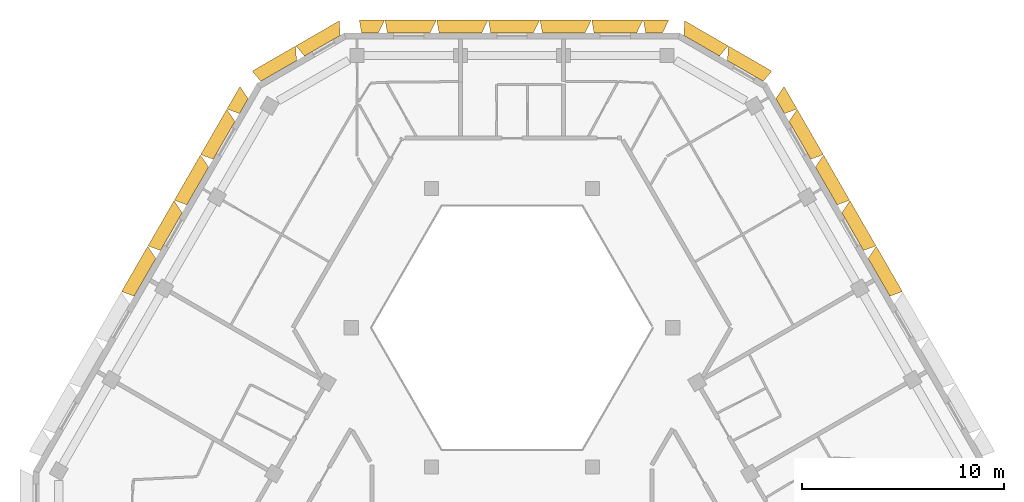
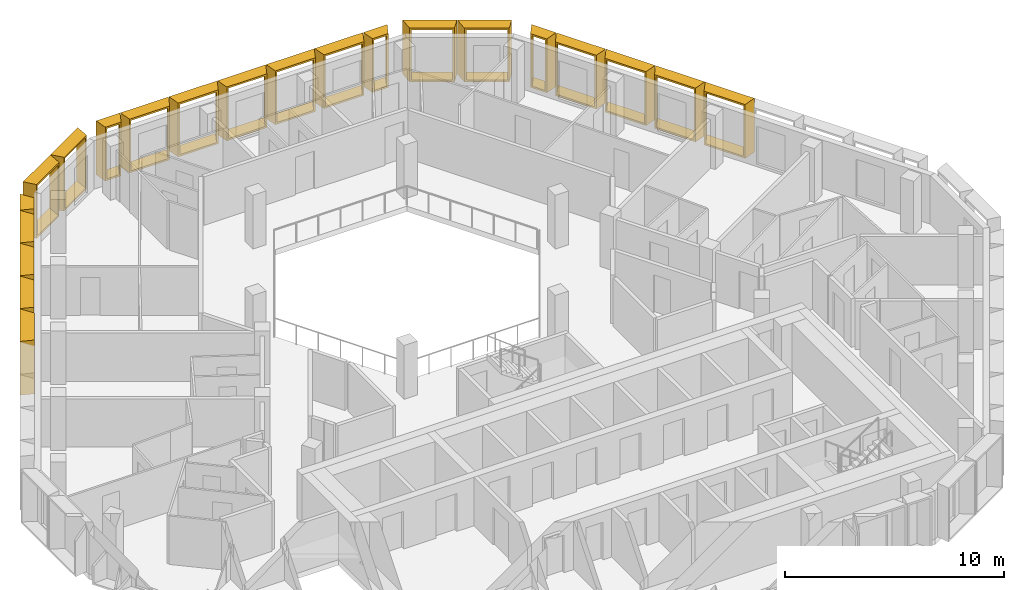
# One storey, part 15 of 15: 21 shading devices.
"""IFC4 building model written with IfcOpenShell, lengths in metres."""

import ifcopenshell
import ifcopenshell.guid

model = None  # the IFC model being written
_history = None  # IfcOwnerHistory: only IFC2X3 demands one
_inside = {}  # id of a spatial element -> (the spatial element, [elements in it])
_under = {}  # id of a project, library or spatial element -> (it, [spatial elements below it])
_declared = {}  # id of a project -> (the project, [libraries it declares])
_typed = {}  # id of a type object -> (the type object, [elements of that type])
_made_of = {}  # id of a material, layer set ... -> (it, [elements and type objects made of it])


def new_model(schema):
    """Start an empty IFC model of exactly this schema.

    Asked for "IFC4X3", IfcOpenShell would pick the latest addendum, in which some entities
    have other attributes; the version numbers below select the first issue.
    IFC2X3 requires an IfcOwnerHistory on every rooted entity: one is made here for all.
    """
    global model, _history
    if schema == "IFC4X3":
        model = ifcopenshell.file(schema_version=(4, 3, 0, 0))
    else:
        model = ifcopenshell.file(schema=schema)
    _inside.clear()
    _under.clear()
    _declared.clear()
    _typed.clear()
    _made_of.clear()
    _history = None
    if model.schema == "IFC2X3":
        org = make("IfcOrganization", Name="unknown")
        user = make(
            "IfcPersonAndOrganization",
            ThePerson=make("IfcPerson", FamilyName="unknown"),
            TheOrganization=org,
        )
        app = make(
            "IfcApplication",
            ApplicationDeveloper=org,
            Version="unknown",
            ApplicationFullName="unknown",
            ApplicationIdentifier="unknown",
        )
        _history = make(
            "IfcOwnerHistory",
            OwningUser=user,
            OwningApplication=app,
            ChangeAction="ADDED",
            CreationDate=0,
        )
    return model


def make(cls, **values):
    """One entity of the class cls with the attributes given. An attribute that is None is left unset."""
    return model.create_entity(
        cls, **{name: value for name, value in values.items() if value is not None}
    )


def entity(cls, *values):
    """Any entity or typed value of the class cls, its attributes in the order of the schema. None: left unset."""
    e = model.create_entity(cls)
    for i, value in enumerate(values):
        if value is not None:
            e[i] = value
    return e


def rooted(cls, **values):
    """An entity with a GlobalId (a new one), such as an element, a storey or a relation."""
    return make(cls, GlobalId=ifcopenshell.guid.new(), OwnerHistory=_history, **values)


def si_unit(unit_type, name, prefix=None):
    """IfcSIUnit, for example si_unit("LENGTHUNIT", "METRE", prefix="MILLI")."""
    return make("IfcSIUnit", UnitType=unit_type, Prefix=prefix, Name=name)


def assignment(units):
    """IfcUnitAssignment: the units of a project."""
    return None if units is None else make("IfcUnitAssignment", Units=units)


def point(xyz):
    """IfcCartesianPoint."""
    return None if xyz is None else make("IfcCartesianPoint", Coordinates=xyz)


def direction(xyz):
    """IfcDirection."""
    return None if xyz is None else make("IfcDirection", DirectionRatios=xyz)


def frame(location, z_axis=None, x_axis=None):
    """IfcAxis2Placement3D, a coordinate frame: its origin and axes. An axis left out is left unset."""
    return make(
        "IfcAxis2Placement3D",
        Location=point(location),
        Axis=direction(z_axis),
        RefDirection=direction(x_axis),
    )


def origin():
    """The frame at (0, 0, 0) with its axes left unset."""
    return frame((0.0, 0.0, 0.0))


def place(relative_to, where):
    """IfcLocalPlacement: puts the frame where relative to a parent placement (None: the world)."""
    return make(
        "IfcLocalPlacement", PlacementRelTo=relative_to, RelativePlacement=where
    )


def context(
    kind, dimensions, precision=None, world=None, true_north=None, identifier=None
):
    """IfcGeometricRepresentationContext, for example the 3D "Model" context."""
    return make(
        "IfcGeometricRepresentationContext",
        ContextIdentifier=identifier,
        ContextType=kind,
        CoordinateSpaceDimension=dimensions,
        Precision=precision,
        WorldCoordinateSystem=world,
        TrueNorth=true_north,
    )


def subcontext(parent, identifier, kind, view, scale=None):
    """IfcGeometricRepresentationSubContext, for example "Body" below "Model"."""
    return make(
        "IfcGeometricRepresentationSubContext",
        ContextIdentifier=identifier,
        ContextType=kind,
        ParentContext=parent,
        TargetScale=scale,
        TargetView=view,
    )


def project(units=None, contexts=None):
    """IfcProject with its units and contexts."""
    return rooted(
        "IfcProject",
        Name="project",
        RepresentationContexts=contexts,
        UnitsInContext=assignment(units),
    )


def spatial(cls, under=None, at=None, **own):
    """A site, building, storey or space (cls), placed at a placement, below another one or the project."""
    s = rooted(cls, ObjectPlacement=at, **own)
    if under is not None:
        _under.setdefault(under.id(), (under, []))[1].append(s)
    return s


def shape(context_of_items, identifier, shape_type, items):
    """IfcShapeRepresentation: the items that make up one representation, for example the "Body"."""
    return make(
        "IfcShapeRepresentation",
        ContextOfItems=context_of_items,
        RepresentationIdentifier=identifier,
        RepresentationType=shape_type,
        Items=items,
    )


def source(mapping_origin, context_of_items, identifier, shape_type, items):
    """IfcRepresentationMap: a shape defined once, which mapped items show again and again."""
    return make(
        "IfcRepresentationMap",
        MappingOrigin=mapping_origin,
        MappedRepresentation=shape(context_of_items, identifier, shape_type, items),
    )


def transform(
    local_origin,
    x_axis=None,
    y_axis=None,
    z_axis=None,
    scale=None,
    scale2=None,
    scale3=None,
    uniform=True,
):
    """IfcCartesianTransformationOperator3D, or its non-uniform kind. x_axis, y_axis, z_axis: its Axis1, 2, 3."""
    if uniform:
        return make(
            "IfcCartesianTransformationOperator3D",
            Axis1=direction(x_axis),
            Axis2=direction(y_axis),
            LocalOrigin=point(local_origin),
            Scale=scale,
            Axis3=direction(z_axis),
        )
    return make(
        "IfcCartesianTransformationOperator3DnonUniform",
        Axis1=direction(x_axis),
        Axis2=direction(y_axis),
        LocalOrigin=point(local_origin),
        Scale=scale,
        Axis3=direction(z_axis),
        Scale2=scale2,
        Scale3=scale3,
    )


def mapped(mapping_source, mapping_target):
    """IfcMappedItem: shows the shape of a source again, moved by a transform."""
    return make(
        "IfcMappedItem", MappingSource=mapping_source, MappingTarget=mapping_target
    )


def material(Name=None, Category=None):
    """IfcMaterial."""
    return make("IfcMaterial", Name=Name, Category=Category)


def made_of(thing, what):
    """Note that an element or type object is made of a material, layer set ...; save() writes the relation."""
    if what is not None:
        _made_of.setdefault(what.id(), (what, []))[1].append(thing)
    return thing


def type_object(cls, material=None, **own):
    """A type object (cls), such as IfcWallType, which elements share."""
    return made_of(rooted(cls, **own), material)


def type_shapes(of_type, sources):
    """Give a type object the sources (RepresentationMaps) that its elements show as mapped items."""
    of_type.RepresentationMaps = sources


def element(
    cls,
    number,
    at=None,
    inside=None,
    cuts=None,
    type_object=None,
    material=None,
    context=None,
    identifier="Body",
    shape_type=None,
    held_by="IfcProductDefinitionShape",
    body=None,
    shapes=None,
    **own,
):
    """One element of the class cls, such as IfcWall. Its Tag is "e" and its number.

    at: its placement. inside: the storey or other place that contains it. cuts: it is an
    opening in that element (IfcRelVoidsElement). A single representation is given by context,
    identifier, shape_type and body (its items); several are given by shapes. held_by: the class
    of the entity that holds the representations. save() writes the other relations.
    """
    e = rooted(cls, Tag="e%d" % number, ObjectPlacement=at, **own)
    if body is not None:
        shapes = [shape(context, identifier, shape_type, body)]
    if shapes is not None:
        e.Representation = make(held_by, Representations=shapes)
    if inside is not None:
        _inside.setdefault(inside.id(), (inside, []))[1].append(e)
    if cuts is not None:
        rooted(
            "IfcRelVoidsElement", RelatingBuildingElement=cuts, RelatedOpeningElement=e
        )
    if type_object is not None:
        _typed.setdefault(type_object.id(), (type_object, []))[1].append(e)
    return made_of(e, material)


def aggregate(whole, parts):
    """IfcRelAggregates: a whole, such as a stair, and the parts it consists of."""
    return rooted("IfcRelAggregates", RelatingObject=whole, RelatedObjects=parts)


def save(model, path):
    """Write the relations noted so far, then the file.

    IfcRelAggregates (storeys below a building ...), IfcRelContainedInSpatialStructure (elements
    in a storey), IfcRelDefinesByType, IfcRelAssociatesMaterial and IfcRelDeclares: one each for
    every whole, place, type object, material and project.
    """
    for whole, parts in _under.values():
        aggregate(whole, parts)
    for where, things in _inside.values():
        rooted(
            "IfcRelContainedInSpatialStructure",
            RelatedElements=things,
            RelatingStructure=where,
        )
    for kind, things in _typed.values():
        rooted("IfcRelDefinesByType", RelatedObjects=things, RelatingType=kind)
    for what, things in _made_of.values():
        rooted("IfcRelAssociatesMaterial", RelatedObjects=things, RelatingMaterial=what)
    for by, libraries in _declared.values():
        rooted("IfcRelDeclares", RelatingContext=by, RelatedDefinitions=libraries)
    model.write(path)


model = new_model("IFC4")

# Units and contexts
model_context = context("Model", 3, precision=1e-05, world=origin(), true_north=direction((0.0, 1.0)))
body_context = subcontext(model_context, "Body", "Model", "MODEL_VIEW")
ifc_project = project(units=[si_unit("LENGTHUNIT", "METRE"), si_unit("AREAUNIT", "SQUARE_METRE"), si_unit("VOLUMEUNIT", "CUBIC_METRE"), si_unit("PLANEANGLEUNIT", "RADIAN"), si_unit("MASSUNIT", "GRAM", prefix="KILO")], contexts=[model_context])

# Site, building, storey
site_placement = place(None, origin())
site = spatial("IfcSite", under=ifc_project, at=site_placement, CompositionType="ELEMENT")
building_placement = place(site_placement, origin())
building = spatial("IfcBuilding", under=site, at=building_placement, Name="Beryl Residences", CompositionType="ELEMENT")
storey_placement = place(building_placement, frame((0.0, 0.0, 205.800048828125)))
storey = spatial("IfcBuildingStorey", under=building, at=storey_placement, Name="L63", CompositionType="ELEMENT", Elevation=205.800048828125)

# Shading devices
ifc_material_1 = material(Name="Aluminium pale anodised", Category="aluminium")
shading_device_type_1 = type_object("IfcShadingDeviceType", Name="FR128-65B OUTER SKIN frame 650 mm deep, splay 26/10 deg, 1280 x 3000 mm cell", PredefinedType="USERDEFINED", material=ifc_material_1)
cartesian_point_1 = entity("IfcCartesianPoint", [-0.4140625, 0.0])
cartesian_point_2 = entity("IfcCartesianPoint", [-0.324951171875, 0.10009765625])
cartesian_point_3 = entity("IfcCartesianPoint", [-0.73095703125, 0.0])
cartesian_point_4 = entity("IfcCartesianPoint", [-0.64208984375, 0.10009765625])
shared_shape_1 = source(origin(), body_context, "Body", "SweptSolid", [
    entity("IfcExtrudedAreaSolidTapered", entity("IfcArbitraryProfileDefWithVoids", "AREA", None, entity("IfcPolyline", [cartesian_point_1, entity("IfcCartesianPoint", [0.4140625, 0.0]), entity("IfcCartesianPoint", [0.4140625, 3.0]), entity("IfcCartesianPoint", [-0.4140625, 3.0]), cartesian_point_1]), [entity("IfcPolyline", [cartesian_point_2, entity("IfcCartesianPoint", [0.332763671875, 0.10009765625]), entity("IfcCartesianPoint", [0.332763671875, 2.89990234375]), entity("IfcCartesianPoint", [-0.324951171875, 2.89990234375]), cartesian_point_2])]), entity("IfcAxis2Placement3D", entity("IfcCartesianPoint", [0.0, 0.0, 0.0]), entity("IfcDirection", [0.0, 1.0, 0.0]), entity("IfcDirection", [-1.0, 0.0, 0.0])), entity("IfcDirection", [0.0, 0.0, 1.0]), 0.64990234375, entity("IfcArbitraryProfileDefWithVoids", "AREA", None, entity("IfcPolyline", [cartesian_point_3, entity("IfcCartesianPoint", [0.528564453125, 0.0]), entity("IfcCartesianPoint", [0.528564453125, 3.0]), entity("IfcCartesianPoint", [-0.73095703125, 3.0]), cartesian_point_3]), [entity("IfcPolyline", [cartesian_point_4, entity("IfcCartesianPoint", [0.447265625, 0.10009765625]), entity("IfcCartesianPoint", [0.447265625, 2.89990234375]), entity("IfcCartesianPoint", [-0.64208984375, 2.89990234375]), cartesian_point_4])])),
])
type_shapes(shading_device_type_1, [shared_shape_1])
for number, where, z_axis, x_axis, name in (
    (1, (7.0390625, 22.60009765625, 0.0), (0.0, 0.0, 1.0), (1.0, 0.0, 0.0), "FR128-65B frame L63 N 1"),
    (2, (-7.0380859375, 22.60009765625, 0.0), (0.0, 0.0, 1.0), (1.0, 0.0, 0.0), "FR128-65B frame L63 N 7"),
):
    element("IfcShadingDevice", number, at=place(storey_placement, frame(where, z_axis=z_axis, x_axis=x_axis)), inside=storey, type_object=shading_device_type_1, Name=name, ObjectType="OUTER SKIN", PredefinedType="USERDEFINED", context=body_context, shape_type="MappedRepresentation", body=[
        mapped(shared_shape_1, transform((0.0, 0.0, 0.0))),
    ])
ifc_material_2 = material(Name="Aluminium pale anodised", Category="aluminium")
shading_device_type_2 = type_object("IfcShadingDeviceType", Name="FR131-65B OUTER SKIN frame 650 mm deep, splay 26/10 deg, 1310 x 3000 mm cell", PredefinedType="USERDEFINED", material=ifc_material_2)
cartesian_point_5 = entity("IfcCartesianPoint", [-0.428955078125, 0.0])
cartesian_point_6 = entity("IfcCartesianPoint", [-0.340087890625, 0.10009765625])
cartesian_point_7 = entity("IfcCartesianPoint", [-0.74609375, 0.0])
cartesian_point_8 = entity("IfcCartesianPoint", [-0.656982421875, 0.10009765625])
shared_shape_2 = source(origin(), body_context, "Body", "SweptSolid", [
    entity("IfcExtrudedAreaSolidTapered", entity("IfcArbitraryProfileDefWithVoids", "AREA", None, entity("IfcPolyline", [cartesian_point_5, entity("IfcCartesianPoint", [0.428955078125, 0.0]), entity("IfcCartesianPoint", [0.428955078125, 3.0]), entity("IfcCartesianPoint", [-0.428955078125, 3.0]), cartesian_point_5]), [entity("IfcPolyline", [cartesian_point_6, entity("IfcCartesianPoint", [0.34765625, 0.10009765625]), entity("IfcCartesianPoint", [0.34765625, 2.89990234375]), entity("IfcCartesianPoint", [-0.340087890625, 2.89990234375]), cartesian_point_6])]), entity("IfcAxis2Placement3D", entity("IfcCartesianPoint", [0.0, 0.0, 0.0]), entity("IfcDirection", [0.0, 1.0, 0.0]), entity("IfcDirection", [-1.0, 0.0, 0.0])), entity("IfcDirection", [0.0, 0.0, 1.0]), 0.64990234375, entity("IfcArbitraryProfileDefWithVoids", "AREA", None, entity("IfcPolyline", [cartesian_point_7, entity("IfcCartesianPoint", [0.543701171875, 0.0]), entity("IfcCartesianPoint", [0.543701171875, 3.0]), entity("IfcCartesianPoint", [-0.74609375, 3.0]), cartesian_point_7]), [entity("IfcPolyline", [cartesian_point_8, entity("IfcCartesianPoint", [0.46240234375, 0.10009765625]), entity("IfcCartesianPoint", [0.46240234375, 2.89990234375]), entity("IfcCartesianPoint", [-0.656982421875, 2.89990234375]), cartesian_point_8])])),
])
type_shapes(shading_device_type_2, [shared_shape_2])
shading_device_1_placement = place(storey_placement, frame((-13.2880859375, 18.98388671875, 0.0), z_axis=(0.0, 0.0, 1.0), x_axis=(0.5, 0.866025403784, 0.0)))
element("IfcShadingDevice", 3, at=shading_device_1_placement, inside=storey, type_object=shading_device_type_2, Name="FR131-65B frame L63 NW 1", ObjectType="OUTER SKIN", PredefinedType="USERDEFINED", context=body_context, shape_type="MappedRepresentation", body=[
    mapped(shared_shape_2, transform((0.0, 0.0, 0.0))),
])
ifc_material_3 = material(Name="Aluminium pale anodised", Category="aluminium")
shading_device_type_3 = type_object("IfcShadingDeviceType", Name="FR131-65C OUTER SKIN frame 650 mm deep, splay 10/26 deg, 1310 x 3000 mm cell", PredefinedType="USERDEFINED", material=ifc_material_3)
cartesian_point_9 = entity("IfcCartesianPoint", [-0.428955078125, 0.0])
cartesian_point_10 = entity("IfcCartesianPoint", [-0.34765625, 0.10009765625])
cartesian_point_11 = entity("IfcCartesianPoint", [-0.543701171875, 0.0])
cartesian_point_12 = entity("IfcCartesianPoint", [-0.46240234375, 0.10009765625])
shared_shape_3 = source(origin(), body_context, "Body", "SweptSolid", [
    entity("IfcExtrudedAreaSolidTapered", entity("IfcArbitraryProfileDefWithVoids", "AREA", None, entity("IfcPolyline", [cartesian_point_9, entity("IfcCartesianPoint", [0.428955078125, 0.0]), entity("IfcCartesianPoint", [0.428955078125, 3.0]), entity("IfcCartesianPoint", [-0.428955078125, 3.0]), cartesian_point_9]), [entity("IfcPolyline", [cartesian_point_10, entity("IfcCartesianPoint", [0.340087890625, 0.10009765625]), entity("IfcCartesianPoint", [0.340087890625, 2.89990234375]), entity("IfcCartesianPoint", [-0.34765625, 2.89990234375]), cartesian_point_10])]), entity("IfcAxis2Placement3D", entity("IfcCartesianPoint", [0.0, 0.0, 0.0]), entity("IfcDirection", [0.0, 1.0, 0.0]), entity("IfcDirection", [-1.0, 0.0, 0.0])), entity("IfcDirection", [0.0, 0.0, 1.0]), 0.64990234375, entity("IfcArbitraryProfileDefWithVoids", "AREA", None, entity("IfcPolyline", [cartesian_point_11, entity("IfcCartesianPoint", [0.74609375, 0.0]), entity("IfcCartesianPoint", [0.74609375, 3.0]), entity("IfcCartesianPoint", [-0.543701171875, 3.0]), cartesian_point_11]), [entity("IfcPolyline", [cartesian_point_12, entity("IfcCartesianPoint", [0.656982421875, 0.10009765625]), entity("IfcCartesianPoint", [0.656982421875, 2.89990234375]), entity("IfcCartesianPoint", [-0.46240234375, 2.89990234375]), cartesian_point_12])])),
])
type_shapes(shading_device_type_3, [shared_shape_3])
shading_device_2_placement = place(storey_placement, frame((13.2880859375, 18.98388671875, 0.0), z_axis=(0.0, 0.0, 1.0), x_axis=(0.5, -0.866025403784, 0.0)))
element("IfcShadingDevice", 4, at=shading_device_2_placement, inside=storey, type_object=shading_device_type_3, Name="FR131-65C frame L63 NE 9", ObjectType="OUTER SKIN", PredefinedType="USERDEFINED", context=body_context, shape_type="MappedRepresentation", body=[
    mapped(shared_shape_3, transform((0.0, 0.0, 0.0))),
])
ifc_material_4 = material(Name="Aluminium pale anodised", Category="aluminium")
shading_device_type_4 = type_object("IfcShadingDeviceType", Name="FR250-65B OUTER SKIN frame 650 mm deep, splay 26/10 deg, 2500 x 3000 mm cell", PredefinedType="USERDEFINED", material=ifc_material_4)
cartesian_point_13 = entity("IfcCartesianPoint", [-1.02392578125, 0.0])
cartesian_point_14 = entity("IfcCartesianPoint", [-0.93505859375, 0.10009765625])
cartesian_point_15 = entity("IfcCartesianPoint", [-1.341064453125, 0.0])
cartesian_point_16 = entity("IfcCartesianPoint", [-1.251953125, 0.10009765625])
shared_shape_4 = source(origin(), body_context, "Body", "SweptSolid", [
    entity("IfcExtrudedAreaSolidTapered", entity("IfcArbitraryProfileDefWithVoids", "AREA", None, entity("IfcPolyline", [cartesian_point_13, entity("IfcCartesianPoint", [1.02392578125, 0.0]), entity("IfcCartesianPoint", [1.02392578125, 3.0]), entity("IfcCartesianPoint", [-1.02392578125, 3.0]), cartesian_point_13]), [entity("IfcPolyline", [cartesian_point_14, entity("IfcCartesianPoint", [0.94287109375, 0.10009765625]), entity("IfcCartesianPoint", [0.94287109375, 2.89990234375]), entity("IfcCartesianPoint", [-0.93505859375, 2.89990234375]), cartesian_point_14])]), entity("IfcAxis2Placement3D", entity("IfcCartesianPoint", [0.0, 0.0, 0.0]), entity("IfcDirection", [0.0, 1.0, 0.0]), entity("IfcDirection", [-1.0, 0.0, 0.0])), entity("IfcDirection", [0.0, 0.0, 1.0]), 0.64990234375, entity("IfcArbitraryProfileDefWithVoids", "AREA", None, entity("IfcPolyline", [cartesian_point_15, entity("IfcCartesianPoint", [1.138671875, 0.0]), entity("IfcCartesianPoint", [1.138671875, 3.0]), entity("IfcCartesianPoint", [-1.341064453125, 3.0]), cartesian_point_15]), [entity("IfcPolyline", [cartesian_point_16, entity("IfcCartesianPoint", [1.057373046875, 0.10009765625]), entity("IfcCartesianPoint", [1.057373046875, 2.89990234375]), entity("IfcCartesianPoint", [-1.251953125, 2.89990234375]), cartesian_point_16])])),
])
type_shapes(shading_device_type_4, [shared_shape_4])
for number, where, z_axis, x_axis, name in (
    (5, (-9.39599609375, 21.97509765625, 0.0), (0.0, 0.0, 1.0), (0.866025403784, 0.5, 0.0), "FR250-65B frame L63 N-NW 1"),
    (6, (-11.56103515625, 20.72509765625, 0.0), (0.0, 0.0, 1.0), (0.866025403784, 0.5, 0.0), "FR250-65B frame L63 N-NW 2"),
):
    element("IfcShadingDevice", number, at=place(storey_placement, frame(where, z_axis=z_axis, x_axis=x_axis)), inside=storey, type_object=shading_device_type_4, Name=name, ObjectType="OUTER SKIN", PredefinedType="USERDEFINED", context=body_context, shape_type="MappedRepresentation", body=[
        mapped(shared_shape_4, transform((0.0, 0.0, 0.0))),
    ])
ifc_material_5 = material(Name="Aluminium pale anodised", Category="aluminium")
shading_device_type_5 = type_object("IfcShadingDeviceType", Name="FR250-65C OUTER SKIN frame 650 mm deep, splay 10/26 deg, 2500 x 3000 mm cell", PredefinedType="USERDEFINED", material=ifc_material_5)
cartesian_point_17 = entity("IfcCartesianPoint", [-1.02392578125, 0.0])
cartesian_point_18 = entity("IfcCartesianPoint", [-0.94287109375, 0.10009765625])
cartesian_point_19 = entity("IfcCartesianPoint", [-1.138671875, 0.0])
cartesian_point_20 = entity("IfcCartesianPoint", [-1.057373046875, 0.10009765625])
shared_shape_5 = source(origin(), body_context, "Body", "SweptSolid", [
    entity("IfcExtrudedAreaSolidTapered", entity("IfcArbitraryProfileDefWithVoids", "AREA", None, entity("IfcPolyline", [cartesian_point_17, entity("IfcCartesianPoint", [1.02392578125, 0.0]), entity("IfcCartesianPoint", [1.02392578125, 3.0]), entity("IfcCartesianPoint", [-1.02392578125, 3.0]), cartesian_point_17]), [entity("IfcPolyline", [cartesian_point_18, entity("IfcCartesianPoint", [0.93505859375, 0.10009765625]), entity("IfcCartesianPoint", [0.93505859375, 2.89990234375]), entity("IfcCartesianPoint", [-0.94287109375, 2.89990234375]), cartesian_point_18])]), entity("IfcAxis2Placement3D", entity("IfcCartesianPoint", [0.0, 0.0, 0.0]), entity("IfcDirection", [0.0, 1.0, 0.0]), entity("IfcDirection", [-1.0, 0.0, 0.0])), entity("IfcDirection", [0.0, 0.0, 1.0]), 0.64990234375, entity("IfcArbitraryProfileDefWithVoids", "AREA", None, entity("IfcPolyline", [cartesian_point_19, entity("IfcCartesianPoint", [1.341064453125, 0.0]), entity("IfcCartesianPoint", [1.341064453125, 3.0]), entity("IfcCartesianPoint", [-1.138671875, 3.0]), cartesian_point_19]), [entity("IfcPolyline", [cartesian_point_20, entity("IfcCartesianPoint", [1.251953125, 0.10009765625]), entity("IfcCartesianPoint", [1.251953125, 2.89990234375]), entity("IfcCartesianPoint", [-1.057373046875, 2.89990234375]), cartesian_point_20])])),
])
type_shapes(shading_device_type_5, [shared_shape_5])
for number, where, z_axis, x_axis, name in (
    (7, (11.56103515625, 20.72509765625, 0.0), (0.0, 0.0, 1.0), (0.866025403784, -0.5, 0.0), "FR250-65C frame L63 NE-N 1"),
    (8, (9.39599609375, 21.97509765625, 0.0), (0.0, 0.0, 1.0), (0.866025403784, -0.5, 0.0), "FR250-65C frame L63 NE-N 2"),
):
    element("IfcShadingDevice", number, at=place(storey_placement, frame(where, z_axis=z_axis, x_axis=x_axis)), inside=storey, type_object=shading_device_type_5, Name=name, ObjectType="OUTER SKIN", PredefinedType="USERDEFINED", context=body_context, shape_type="MappedRepresentation", body=[
        mapped(shared_shape_5, transform((0.0, 0.0, 0.0))),
    ])
ifc_material_6 = material(Name="Aluminium pale anodised", Category="aluminium")
shading_device_type_6 = type_object("IfcShadingDeviceType", Name="FR256-65B OUTER SKIN frame 650 mm deep, splay 26/10 deg, 2560 x 3000 mm cell", PredefinedType="USERDEFINED", material=ifc_material_6)
cartesian_point_21 = entity("IfcCartesianPoint", [-1.053955078125, 0.0])
cartesian_point_22 = entity("IfcCartesianPoint", [-0.965087890625, 0.10009765625])
cartesian_point_23 = entity("IfcCartesianPoint", [-1.37109375, 0.0])
cartesian_point_24 = entity("IfcCartesianPoint", [-1.281982421875, 0.10009765625])
shared_shape_6 = source(origin(), body_context, "Body", "SweptSolid", [
    entity("IfcExtrudedAreaSolidTapered", entity("IfcArbitraryProfileDefWithVoids", "AREA", None, entity("IfcPolyline", [cartesian_point_21, entity("IfcCartesianPoint", [1.053955078125, 0.0]), entity("IfcCartesianPoint", [1.053955078125, 3.0]), entity("IfcCartesianPoint", [-1.053955078125, 3.0]), cartesian_point_21]), [entity("IfcPolyline", [cartesian_point_22, entity("IfcCartesianPoint", [0.97265625, 0.10009765625]), entity("IfcCartesianPoint", [0.97265625, 2.89990234375]), entity("IfcCartesianPoint", [-0.965087890625, 2.89990234375]), cartesian_point_22])]), entity("IfcAxis2Placement3D", entity("IfcCartesianPoint", [0.0, 0.0, 0.0]), entity("IfcDirection", [0.0, 1.0, 0.0]), entity("IfcDirection", [-1.0, 0.0, 0.0])), entity("IfcDirection", [0.0, 0.0, 1.0]), 0.64990234375, entity("IfcArbitraryProfileDefWithVoids", "AREA", None, entity("IfcPolyline", [cartesian_point_23, entity("IfcCartesianPoint", [1.168701171875, 0.0]), entity("IfcCartesianPoint", [1.168701171875, 3.0]), entity("IfcCartesianPoint", [-1.37109375, 3.0]), cartesian_point_23]), [entity("IfcPolyline", [cartesian_point_24, entity("IfcCartesianPoint", [1.08740234375, 0.10009765625]), entity("IfcCartesianPoint", [1.08740234375, 2.89990234375]), entity("IfcCartesianPoint", [-1.281982421875, 2.89990234375]), cartesian_point_24])])),
])
type_shapes(shading_device_type_6, [shared_shape_6])
for number, where, z_axis, x_axis, name in (
    (9, (5.1201171875, 22.60009765625, 0.0), (0.0, 0.0, 1.0), (1.0, 0.0, 0.0), "FR256-65B frame L63 N 2"),
    (10, (2.56005859375, 22.60009765625, 0.0), (0.0, 0.0, 1.0), (1.0, 0.0, 0.0), "FR256-65B frame L63 N 3"),
    (11, (0.0, 22.60009765625, 0.0), (0.0, 0.0, 1.0), (1.0, 0.0, 0.0), "FR256-65B frame L63 N 4"),
    (12, (-2.55908203125, 22.60009765625, 0.0), (0.0, 0.0, 1.0), (1.0, 0.0, 0.0), "FR256-65B frame L63 N 5"),
    (13, (-5.118896484375, 22.60009765625, 0.0), (0.0, 0.0, 1.0), (1.0, 0.0, 0.0), "FR256-65B frame L63 N 6"),
):
    element("IfcShadingDevice", number, at=place(storey_placement, frame(where, z_axis=z_axis, x_axis=x_axis)), inside=storey, type_object=shading_device_type_6, Name=name, ObjectType="OUTER SKIN", PredefinedType="USERDEFINED", context=body_context, shape_type="MappedRepresentation", body=[
        mapped(shared_shape_6, transform((0.0, 0.0, 0.0))),
    ])
ifc_material_7 = material(Name="Aluminium pale anodised", Category="aluminium")
shading_device_type_7 = type_object("IfcShadingDeviceType", Name="FR261-65B OUTER SKIN frame 650 mm deep, splay 26/10 deg, 2610 x 3000 mm cell", PredefinedType="USERDEFINED", material=ifc_material_7)
cartesian_point_25 = entity("IfcCartesianPoint", [-1.0791015625, 0.0])
cartesian_point_26 = entity("IfcCartesianPoint", [-0.989990234375, 0.10009765625])
cartesian_point_27 = entity("IfcCartesianPoint", [-1.39599609375, 0.0])
cartesian_point_28 = entity("IfcCartesianPoint", [-1.30712890625, 0.10009765625])
shared_shape_7 = source(origin(), body_context, "Body", "SweptSolid", [
    entity("IfcExtrudedAreaSolidTapered", entity("IfcArbitraryProfileDefWithVoids", "AREA", None, entity("IfcPolyline", [cartesian_point_25, entity("IfcCartesianPoint", [1.0791015625, 0.0]), entity("IfcCartesianPoint", [1.0791015625, 3.0]), entity("IfcCartesianPoint", [-1.0791015625, 3.0]), cartesian_point_25]), [entity("IfcPolyline", [cartesian_point_26, entity("IfcCartesianPoint", [0.997802734375, 0.10009765625]), entity("IfcCartesianPoint", [0.997802734375, 2.89990234375]), entity("IfcCartesianPoint", [-0.989990234375, 2.89990234375]), cartesian_point_26])]), entity("IfcAxis2Placement3D", entity("IfcCartesianPoint", [0.0, 0.0, 0.0]), entity("IfcDirection", [0.0, 1.0, 0.0]), entity("IfcDirection", [-1.0, 0.0, 0.0])), entity("IfcDirection", [0.0, 0.0, 1.0]), 0.64990234375, entity("IfcArbitraryProfileDefWithVoids", "AREA", None, entity("IfcPolyline", [cartesian_point_27, entity("IfcCartesianPoint", [1.193603515625, 0.0]), entity("IfcCartesianPoint", [1.193603515625, 3.0]), entity("IfcCartesianPoint", [-1.39599609375, 3.0]), cartesian_point_27]), [entity("IfcPolyline", [cartesian_point_28, entity("IfcCartesianPoint", [1.1123046875, 0.10009765625]), entity("IfcCartesianPoint", [1.1123046875, 2.89990234375]), entity("IfcCartesianPoint", [-1.30712890625, 2.89990234375]), cartesian_point_28])])),
])
type_shapes(shading_device_type_7, [shared_shape_7])
for number, where, z_axis, x_axis, name in (
    (14, (-14.26708984375, 17.2880859375, 0.0), (0.0, 0.0, 1.0), (0.5, 0.866025403784, 0.0), "FR261-65B frame L63 NW 2"),
    (15, (-15.573974609375, 15.02490234375, 0.0), (0.0, 0.0, 1.0), (0.5, 0.866025403784, 0.0), "FR261-65B frame L63 NW 3"),
    (16, (-16.8798828125, 12.762939453125, 0.0), (0.0, 0.0, 1.0), (0.5, 0.866025403784, 0.0), "FR261-65B frame L63 NW 4"),
    (17, (-18.18603515625, 10.5, 0.0), (0.0, 0.0, 1.0), (0.5, 0.866025403784, 0.0), "FR261-65B frame L63 NW 5"),
):
    element("IfcShadingDevice", number, at=place(storey_placement, frame(where, z_axis=z_axis, x_axis=x_axis)), inside=storey, type_object=shading_device_type_7, Name=name, ObjectType="OUTER SKIN", PredefinedType="USERDEFINED", context=body_context, shape_type="MappedRepresentation", body=[
        mapped(shared_shape_7, transform((0.0, 0.0, 0.0))),
    ])
ifc_material_8 = material(Name="Aluminium pale anodised", Category="aluminium")
shading_device_type_8 = type_object("IfcShadingDeviceType", Name="FR261-65C OUTER SKIN frame 650 mm deep, splay 10/26 deg, 2610 x 3000 mm cell", PredefinedType="USERDEFINED", material=ifc_material_8)
cartesian_point_29 = entity("IfcCartesianPoint", [-1.0791015625, 0.0])
cartesian_point_30 = entity("IfcCartesianPoint", [-0.997802734375, 0.10009765625])
cartesian_point_31 = entity("IfcCartesianPoint", [-1.193603515625, 0.0])
cartesian_point_32 = entity("IfcCartesianPoint", [-1.1123046875, 0.10009765625])
shared_shape_8 = source(origin(), body_context, "Body", "SweptSolid", [
    entity("IfcExtrudedAreaSolidTapered", entity("IfcArbitraryProfileDefWithVoids", "AREA", None, entity("IfcPolyline", [cartesian_point_29, entity("IfcCartesianPoint", [1.0791015625, 0.0]), entity("IfcCartesianPoint", [1.0791015625, 3.0]), entity("IfcCartesianPoint", [-1.0791015625, 3.0]), cartesian_point_29]), [entity("IfcPolyline", [cartesian_point_30, entity("IfcCartesianPoint", [0.989990234375, 0.10009765625]), entity("IfcCartesianPoint", [0.989990234375, 2.89990234375]), entity("IfcCartesianPoint", [-0.997802734375, 2.89990234375]), cartesian_point_30])]), entity("IfcAxis2Placement3D", entity("IfcCartesianPoint", [0.0, 0.0, 0.0]), entity("IfcDirection", [0.0, 1.0, 0.0]), entity("IfcDirection", [-1.0, 0.0, 0.0])), entity("IfcDirection", [0.0, 0.0, 1.0]), 0.64990234375, entity("IfcArbitraryProfileDefWithVoids", "AREA", None, entity("IfcPolyline", [cartesian_point_31, entity("IfcCartesianPoint", [1.39599609375, 0.0]), entity("IfcCartesianPoint", [1.39599609375, 3.0]), entity("IfcCartesianPoint", [-1.193603515625, 3.0]), cartesian_point_31]), [entity("IfcPolyline", [cartesian_point_32, entity("IfcCartesianPoint", [1.30712890625, 0.10009765625]), entity("IfcCartesianPoint", [1.30712890625, 2.89990234375]), entity("IfcCartesianPoint", [-1.1123046875, 2.89990234375]), cartesian_point_32])])),
])
type_shapes(shading_device_type_8, [shared_shape_8])
for number, where, z_axis, x_axis, name in (
    (18, (18.18603515625, 10.5, 0.0), (0.0, 0.0, 1.0), (0.5, -0.866025403784, 0.0), "FR261-65C frame L63 NE 5"),
    (19, (16.8798828125, 12.762939453125, 0.0), (0.0, 0.0, 1.0), (0.5, -0.866025403784, 0.0), "FR261-65C frame L63 NE 6"),
    (20, (15.573974609375, 15.02490234375, 0.0), (0.0, 0.0, 1.0), (0.5, -0.866025403784, 0.0), "FR261-65C frame L63 NE 7"),
    (21, (14.26708984375, 17.2880859375, 0.0), (0.0, 0.0, 1.0), (0.5, -0.866025403784, 0.0), "FR261-65C frame L63 NE 8"),
):
    element("IfcShadingDevice", number, at=place(storey_placement, frame(where, z_axis=z_axis, x_axis=x_axis)), inside=storey, type_object=shading_device_type_8, Name=name, ObjectType="OUTER SKIN", PredefinedType="USERDEFINED", context=body_context, shape_type="MappedRepresentation", body=[
        mapped(shared_shape_8, transform((0.0, 0.0, 0.0))),
    ])

save(model, "model.ifc")
